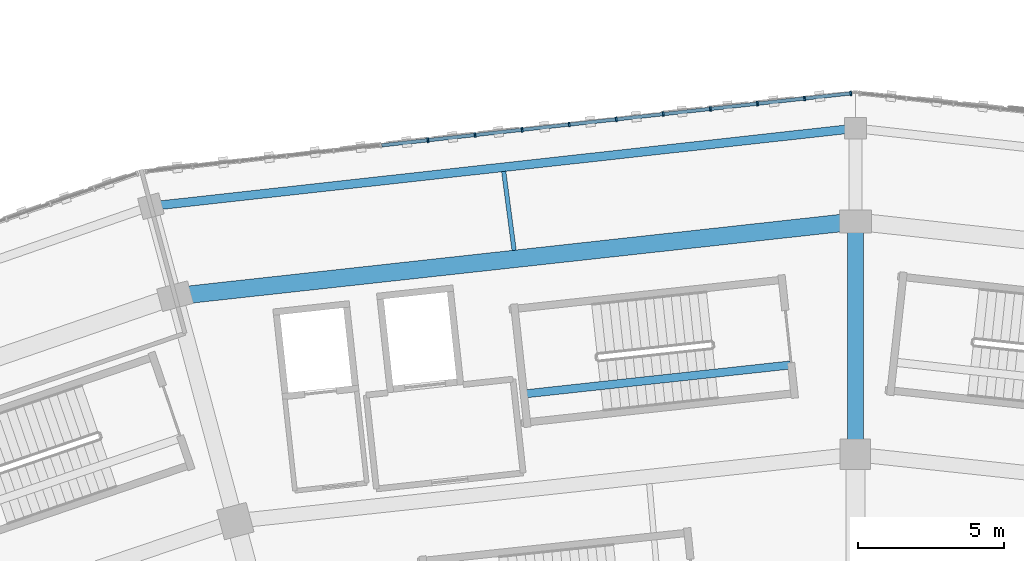
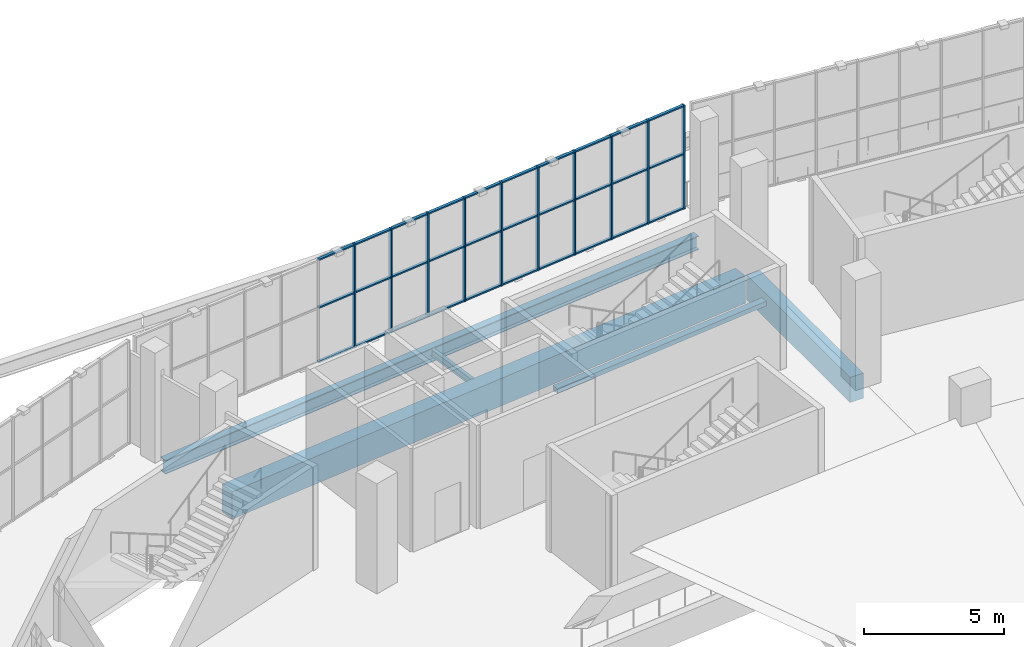
# One storey, part 58 of 183: 40 members, 5 beams, 1 element without a shape of its own.
"""IFC4 building model written with IfcOpenShell, lengths in metres."""

from ifc_helpers import new_model, si_unit, direction, frame, origin, origin_2d, place, context, subcontext, project, spatial, rectangle, i_section, extrude, material, material_profile, profile_set, type_object, element, aggregate, save


model = new_model("IFC4")

# Units and contexts
model_context = context("Model", 3, precision=1e-05, world=origin(), true_north=direction((0.0, 1.0)))
body_context = subcontext(model_context, "Body", "Model", "MODEL_VIEW")
ifc_project = project(units=[si_unit("LENGTHUNIT", "METRE"), si_unit("AREAUNIT", "SQUARE_METRE"), si_unit("VOLUMEUNIT", "CUBIC_METRE"), si_unit("PLANEANGLEUNIT", "RADIAN"), si_unit("MASSUNIT", "GRAM", prefix="KILO")], contexts=[model_context])

# Site, building, storey
site_placement = place(None, origin())
site = spatial("IfcSite", under=ifc_project, at=site_placement, CompositionType="ELEMENT")
building_placement = place(site_placement, origin())
building = spatial("IfcBuilding", under=site, at=building_placement, Name="Zevraka Park Crest Stadium", CompositionType="ELEMENT")
storey_placement = place(building_placement, frame((0.0, 0.0, 5.39990234375)))
storey = spatial("IfcBuildingStorey", under=building, at=storey_placement, Name="L01", CompositionType="ELEMENT", Elevation=5.39990234375)

# Beam
ifc_material_1 = material(Name="Concrete C40/50", Category="concrete")
ifc_material_profile_1 = material_profile(ifc_material_1, rectangle(XDim=0.550048828125, YDim=1.10009765625, at=origin_2d()), Name="RC 1100x550")
ifc_profile_set_1 = profile_set([ifc_material_profile_1], Name="Concrete C40/50")
beam_type_1 = type_object("IfcBeamType", Name="BG02", PredefinedType="BEAM", material=ifc_profile_set_1)
beam_1_placement = place(storey_placement, frame((112.0, 159.60009765625, -0.559814453125), z_axis=(0.0, 1.0, 0.0), x_axis=(-1.0, 0.0, 0.0)))
element("IfcBeam", 1, at=beam_1_placement, inside=storey, type_object=beam_type_1, Name="Radial Girder BG02 L01-CD-06", PredefinedType="BEAM", context=body_context, shape_type="SweptSolid", body=[
    extrude(rectangle(XDim=0.550048828125, YDim=1.10009765625, at=origin_2d()), origin(), (0.0, 0.0, 1.0), 7.39990234375),
])

# Curtain wall, members
ifc_material_2 = material(Name="Anodised architectural aluminium and laminated safety glass", Category="aluminium")
curtain_wall_type = type_object("IfcCurtainWallType", Name="CW01", PredefinedType="NOTDEFINED", material=ifc_material_2)
curtain_wall_placement = place(storey_placement, origin())
curtain_wall = element("IfcCurtainWall", 2, at=curtain_wall_placement, inside=storey, type_object=curtain_wall_type, Name="Unitised Ring Curtain Wall CW01 L01-06", PredefinedType="NOTDEFINED")
ifc_material_3 = material(Name="Anodised architectural aluminium", Category="aluminium")
ifc_material_profile_2 = material_profile(ifc_material_3, rectangle(XDim=0.159912109375, YDim=0.06005859375, at=origin_2d()), Name="ALU MULLION 160x60")
ifc_profile_set_2 = profile_set([ifc_material_profile_2], Name="Anodised architectural aluminium")
member_type_1 = type_object("IfcMemberType", Name="CM01", PredefinedType="MULLION", material=ifc_profile_set_2)
member_1_placement = place(storey_placement, frame((111.840087890625, 171.70166015625, 0.0), z_axis=(0.0, 0.0, 1.0), x_axis=(0.110134718639, -0.993916668414, 0.0)))
member_1 = element("IfcMember", 3, at=member_1_placement, type_object=member_type_1, Name="CW01 mullion 1", PredefinedType="MULLION", context=body_context, shape_type="SweptSolid", body=[
    extrude(rectangle(XDim=0.159912109375, YDim=0.06005859375, at=origin_2d()), origin(), (0.0, 0.0, 1.0), 4.52001953125),
])
member_2_placement = place(storey_placement, frame((110.252685546875, 171.52587890625, 0.0), z_axis=(0.0, 0.0, 1.0), x_axis=(0.110134718639, -0.993916668414, 0.0)))
member_2 = element("IfcMember", 4, at=member_2_placement, type_object=member_type_1, Name="CW01 mullion 2", PredefinedType="MULLION", context=body_context, shape_type="SweptSolid", body=[
    extrude(rectangle(XDim=0.159912109375, YDim=0.06005859375, at=origin_2d()), origin(), (0.0, 0.0, 1.0), 4.52001953125),
])
member_3_placement = place(storey_placement, frame((108.635498046875, 171.3466796875, 0.0), z_axis=(0.0, 0.0, 1.0), x_axis=(0.110134718639, -0.993916668414, 0.0)))
member_3 = element("IfcMember", 5, at=member_3_placement, type_object=member_type_1, Name="CW01 mullion 3", PredefinedType="MULLION", context=body_context, shape_type="SweptSolid", body=[
    extrude(rectangle(XDim=0.159912109375, YDim=0.06005859375, at=origin_2d()), origin(), (0.0, 0.0, 1.0), 4.52001953125),
])
member_4_placement = place(storey_placement, frame((107.018310546875, 171.16748046875, 0.0), z_axis=(0.0, 0.0, 1.0), x_axis=(0.110134718639, -0.993916668414, 0.0)))
member_4 = element("IfcMember", 6, at=member_4_placement, type_object=member_type_1, Name="CW01 mullion 4", PredefinedType="MULLION", context=body_context, shape_type="SweptSolid", body=[
    extrude(rectangle(XDim=0.159912109375, YDim=0.06005859375, at=origin_2d()), origin(), (0.0, 0.0, 1.0), 4.52001953125),
])
member_5_placement = place(storey_placement, frame((105.401123046875, 170.98828125, 0.0), z_axis=(0.0, 0.0, 1.0), x_axis=(0.110134718639, -0.993916668414, 0.0)))
member_5 = element("IfcMember", 7, at=member_5_placement, type_object=member_type_1, Name="CW01 mullion 5", PredefinedType="MULLION", context=body_context, shape_type="SweptSolid", body=[
    extrude(rectangle(XDim=0.159912109375, YDim=0.06005859375, at=origin_2d()), origin(), (0.0, 0.0, 1.0), 4.52001953125),
])
member_6_placement = place(storey_placement, frame((103.783935546875, 170.80908203125, 0.0), z_axis=(0.0, 0.0, 1.0), x_axis=(0.110134718639, -0.993916668414, 0.0)))
member_6 = element("IfcMember", 8, at=member_6_placement, type_object=member_type_1, Name="CW01 mullion 6", PredefinedType="MULLION", context=body_context, shape_type="SweptSolid", body=[
    extrude(rectangle(XDim=0.159912109375, YDim=0.06005859375, at=origin_2d()), origin(), (0.0, 0.0, 1.0), 4.52001953125),
])
member_7_placement = place(storey_placement, frame((102.166748046875, 170.6298828125, 0.0), z_axis=(0.0, 0.0, 1.0), x_axis=(0.110134718639, -0.993916668414, 0.0)))
member_7 = element("IfcMember", 9, at=member_7_placement, type_object=member_type_1, Name="CW01 mullion 7", PredefinedType="MULLION", context=body_context, shape_type="SweptSolid", body=[
    extrude(rectangle(XDim=0.159912109375, YDim=0.06005859375, at=origin_2d()), origin(), (0.0, 0.0, 1.0), 4.52001953125),
])
member_8_placement = place(storey_placement, frame((100.549560546875, 170.45068359375, 0.0), z_axis=(0.0, 0.0, 1.0), x_axis=(0.110134718639, -0.993916668414, 0.0)))
member_8 = element("IfcMember", 10, at=member_8_placement, type_object=member_type_1, Name="CW01 mullion 8", PredefinedType="MULLION", context=body_context, shape_type="SweptSolid", body=[
    extrude(rectangle(XDim=0.159912109375, YDim=0.06005859375, at=origin_2d()), origin(), (0.0, 0.0, 1.0), 4.52001953125),
])
member_9_placement = place(storey_placement, frame((98.932373046875, 170.271484375, 0.0), z_axis=(0.0, 0.0, 1.0), x_axis=(0.110134718639, -0.993916668414, 0.0)))
member_9 = element("IfcMember", 11, at=member_9_placement, type_object=member_type_1, Name="CW01 mullion 9", PredefinedType="MULLION", context=body_context, shape_type="SweptSolid", body=[
    extrude(rectangle(XDim=0.159912109375, YDim=0.06005859375, at=origin_2d()), origin(), (0.0, 0.0, 1.0), 4.52001953125),
])
member_10_placement = place(storey_placement, frame((97.315185546875, 170.09228515625, 0.0), z_axis=(0.0, 0.0, 1.0), x_axis=(0.110134718639, -0.993916668414, 0.0)))
member_10 = element("IfcMember", 12, at=member_10_placement, type_object=member_type_1, Name="CW01 mullion 10", PredefinedType="MULLION", context=body_context, shape_type="SweptSolid", body=[
    extrude(rectangle(XDim=0.159912109375, YDim=0.06005859375, at=origin_2d()), origin(), (0.0, 0.0, 1.0), 4.52001953125),
])
ifc_material_4 = material(Name="Anodised architectural aluminium", Category="aluminium")
ifc_material_profile_3 = material_profile(ifc_material_4, rectangle(XDim=0.1201171875, YDim=0.06005859375, at=origin_2d()), Name="ALU TRANSOM 120x60")
ifc_profile_set_3 = profile_set([ifc_material_profile_3], Name="Anodised architectural aluminium")
member_type_2 = type_object("IfcMemberType", Name="CT01", PredefinedType="USERDEFINED", material=ifc_profile_set_3)
member_11_placement = place(storey_placement, frame((111.810302734375, 171.698486328125, 0.030029296875), z_axis=(-0.993905024901, -0.11023974545, 0.0), x_axis=(0.11023974545, -0.993905024901, 0.0)))
member_11 = element("IfcMember", 13, at=member_11_placement, type_object=member_type_2, Name="CW01 transom 1.1", ObjectType="TRANSOM", PredefinedType="USERDEFINED", context=body_context, shape_type="SweptSolid", body=[
    extrude(rectangle(XDim=0.1201171875, YDim=0.06005859375, at=origin_2d()), origin(), (0.0, 0.0, 1.0), 1.536865234375),
])
member_12_placement = place(storey_placement, frame((111.810302734375, 171.698486328125, 2.400146484375), z_axis=(-0.993905024901, -0.11023974545, 0.0), x_axis=(0.11023974545, -0.993905024901, 0.0)))
member_12 = element("IfcMember", 14, at=member_12_placement, type_object=member_type_2, Name="CW01 transom 1.2", ObjectType="TRANSOM", PredefinedType="USERDEFINED", context=body_context, shape_type="SweptSolid", body=[
    extrude(rectangle(XDim=0.1201171875, YDim=0.06005859375, at=origin_2d()), origin(), (0.0, 0.0, 1.0), 1.536865234375),
])
member_13_placement = place(storey_placement, frame((111.810302734375, 171.698486328125, 4.489990234375), z_axis=(-0.993905024901, -0.11023974545, 0.0), x_axis=(0.11023974545, -0.993905024901, 0.0)))
member_13 = element("IfcMember", 15, at=member_13_placement, type_object=member_type_2, Name="CW01 transom 1.3", ObjectType="TRANSOM", PredefinedType="USERDEFINED", context=body_context, shape_type="SweptSolid", body=[
    extrude(rectangle(XDim=0.1201171875, YDim=0.06005859375, at=origin_2d()), origin(), (0.0, 0.0, 1.0), 1.536865234375),
])
member_14_placement = place(storey_placement, frame((110.222900390625, 171.5224609375, 0.030029296875), z_axis=(-0.993914099026, -0.110157903748, 0.0), x_axis=(0.110157903748, -0.993914099026, 0.0)))
member_14 = element("IfcMember", 16, at=member_14_placement, type_object=member_type_2, Name="CW01 transom 2.1", ObjectType="TRANSOM", PredefinedType="USERDEFINED", context=body_context, shape_type="SweptSolid", body=[
    extrude(rectangle(XDim=0.1201171875, YDim=0.06005859375, at=origin_2d()), origin(), (0.0, 0.0, 1.0), 1.56689453125),
])
member_15_placement = place(storey_placement, frame((110.222900390625, 171.5224609375, 2.400146484375), z_axis=(-0.993914099026, -0.110157903748, 0.0), x_axis=(0.110157903748, -0.993914099026, 0.0)))
member_15 = element("IfcMember", 17, at=member_15_placement, type_object=member_type_2, Name="CW01 transom 2.2", ObjectType="TRANSOM", PredefinedType="USERDEFINED", context=body_context, shape_type="SweptSolid", body=[
    extrude(rectangle(XDim=0.1201171875, YDim=0.06005859375, at=origin_2d()), origin(), (0.0, 0.0, 1.0), 1.56689453125),
])
member_16_placement = place(storey_placement, frame((110.222900390625, 171.5224609375, 4.489990234375), z_axis=(-0.993914099026, -0.110157903748, 0.0), x_axis=(0.110157903748, -0.993914099026, 0.0)))
member_16 = element("IfcMember", 18, at=member_16_placement, type_object=member_type_2, Name="CW01 transom 2.3", ObjectType="TRANSOM", PredefinedType="USERDEFINED", context=body_context, shape_type="SweptSolid", body=[
    extrude(rectangle(XDim=0.1201171875, YDim=0.06005859375, at=origin_2d()), origin(), (0.0, 0.0, 1.0), 1.56689453125),
])
member_17_placement = place(storey_placement, frame((108.605712890625, 171.34326171875, 0.030029296875), z_axis=(-0.993915989308, -0.110140847091, 0.0), x_axis=(0.110140847091, -0.993915989308, 0.0)))
member_17 = element("IfcMember", 19, at=member_17_placement, type_object=member_type_2, Name="CW01 transom 3.1", ObjectType="TRANSOM", PredefinedType="USERDEFINED", context=body_context, shape_type="SweptSolid", body=[
    extrude(rectangle(XDim=0.1201171875, YDim=0.06005859375, at=origin_2d()), origin(), (0.0, 0.0, 1.0), 1.567138671875),
])
member_18_placement = place(storey_placement, frame((108.605712890625, 171.34326171875, 2.400146484375), z_axis=(-0.993915989308, -0.110140847091, 0.0), x_axis=(0.110140847091, -0.993915989308, 0.0)))
member_18 = element("IfcMember", 20, at=member_18_placement, type_object=member_type_2, Name="CW01 transom 3.2", ObjectType="TRANSOM", PredefinedType="USERDEFINED", context=body_context, shape_type="SweptSolid", body=[
    extrude(rectangle(XDim=0.1201171875, YDim=0.06005859375, at=origin_2d()), origin(), (0.0, 0.0, 1.0), 1.567138671875),
])
member_19_placement = place(storey_placement, frame((108.605712890625, 171.34326171875, 4.489990234375), z_axis=(-0.993915989308, -0.110140847091, 0.0), x_axis=(0.110140847091, -0.993915989308, 0.0)))
member_19 = element("IfcMember", 21, at=member_19_placement, type_object=member_type_2, Name="CW01 transom 3.3", ObjectType="TRANSOM", PredefinedType="USERDEFINED", context=body_context, shape_type="SweptSolid", body=[
    extrude(rectangle(XDim=0.1201171875, YDim=0.06005859375, at=origin_2d()), origin(), (0.0, 0.0, 1.0), 1.567138671875),
])
member_20_placement = place(storey_placement, frame((106.988525390625, 171.1640625, 0.030029296875), z_axis=(-0.993915989308, -0.110140847091, 0.0), x_axis=(0.110140847091, -0.993915989308, 0.0)))
member_20 = element("IfcMember", 22, at=member_20_placement, type_object=member_type_2, Name="CW01 transom 4.1", ObjectType="TRANSOM", PredefinedType="USERDEFINED", context=body_context, shape_type="SweptSolid", body=[
    extrude(rectangle(XDim=0.1201171875, YDim=0.06005859375, at=origin_2d()), origin(), (0.0, 0.0, 1.0), 1.567138671875),
])
member_21_placement = place(storey_placement, frame((106.988525390625, 171.1640625, 2.400146484375), z_axis=(-0.993915989308, -0.110140847091, 0.0), x_axis=(0.110140847091, -0.993915989308, 0.0)))
member_21 = element("IfcMember", 23, at=member_21_placement, type_object=member_type_2, Name="CW01 transom 4.2", ObjectType="TRANSOM", PredefinedType="USERDEFINED", context=body_context, shape_type="SweptSolid", body=[
    extrude(rectangle(XDim=0.1201171875, YDim=0.06005859375, at=origin_2d()), origin(), (0.0, 0.0, 1.0), 1.567138671875),
])
member_22_placement = place(storey_placement, frame((106.988525390625, 171.1640625, 4.489990234375), z_axis=(-0.993915989308, -0.110140847091, 0.0), x_axis=(0.110140847091, -0.993915989308, 0.0)))
member_22 = element("IfcMember", 24, at=member_22_placement, type_object=member_type_2, Name="CW01 transom 4.3", ObjectType="TRANSOM", PredefinedType="USERDEFINED", context=body_context, shape_type="SweptSolid", body=[
    extrude(rectangle(XDim=0.1201171875, YDim=0.06005859375, at=origin_2d()), origin(), (0.0, 0.0, 1.0), 1.567138671875),
])
member_23_placement = place(storey_placement, frame((105.371337890625, 170.98486328125, 0.030029296875), z_axis=(-0.993915989308, -0.110140847091, 0.0), x_axis=(0.110140847091, -0.993915989308, 0.0)))
member_23 = element("IfcMember", 25, at=member_23_placement, type_object=member_type_2, Name="CW01 transom 5.1", ObjectType="TRANSOM", PredefinedType="USERDEFINED", context=body_context, shape_type="SweptSolid", body=[
    extrude(rectangle(XDim=0.1201171875, YDim=0.06005859375, at=origin_2d()), origin(), (0.0, 0.0, 1.0), 1.567138671875),
])
member_24_placement = place(storey_placement, frame((105.371337890625, 170.98486328125, 2.400146484375), z_axis=(-0.993915989308, -0.110140847091, 0.0), x_axis=(0.110140847091, -0.993915989308, 0.0)))
member_24 = element("IfcMember", 26, at=member_24_placement, type_object=member_type_2, Name="CW01 transom 5.2", ObjectType="TRANSOM", PredefinedType="USERDEFINED", context=body_context, shape_type="SweptSolid", body=[
    extrude(rectangle(XDim=0.1201171875, YDim=0.06005859375, at=origin_2d()), origin(), (0.0, 0.0, 1.0), 1.567138671875),
])
member_25_placement = place(storey_placement, frame((105.371337890625, 170.98486328125, 4.489990234375), z_axis=(-0.993915989308, -0.110140847091, 0.0), x_axis=(0.110140847091, -0.993915989308, 0.0)))
member_25 = element("IfcMember", 27, at=member_25_placement, type_object=member_type_2, Name="CW01 transom 5.3", ObjectType="TRANSOM", PredefinedType="USERDEFINED", context=body_context, shape_type="SweptSolid", body=[
    extrude(rectangle(XDim=0.1201171875, YDim=0.06005859375, at=origin_2d()), origin(), (0.0, 0.0, 1.0), 1.567138671875),
])
member_26_placement = place(storey_placement, frame((103.754150390625, 170.8056640625, 0.030029296875), z_axis=(-0.993915989308, -0.110140847091, 0.0), x_axis=(0.110140847091, -0.993915989308, 0.0)))
member_26 = element("IfcMember", 28, at=member_26_placement, type_object=member_type_2, Name="CW01 transom 6.1", ObjectType="TRANSOM", PredefinedType="USERDEFINED", context=body_context, shape_type="SweptSolid", body=[
    extrude(rectangle(XDim=0.1201171875, YDim=0.06005859375, at=origin_2d()), origin(), (0.0, 0.0, 1.0), 1.567138671875),
])
member_27_placement = place(storey_placement, frame((103.754150390625, 170.8056640625, 2.400146484375), z_axis=(-0.993915989308, -0.110140847091, 0.0), x_axis=(0.110140847091, -0.993915989308, 0.0)))
member_27 = element("IfcMember", 29, at=member_27_placement, type_object=member_type_2, Name="CW01 transom 6.2", ObjectType="TRANSOM", PredefinedType="USERDEFINED", context=body_context, shape_type="SweptSolid", body=[
    extrude(rectangle(XDim=0.1201171875, YDim=0.06005859375, at=origin_2d()), origin(), (0.0, 0.0, 1.0), 1.567138671875),
])
member_28_placement = place(storey_placement, frame((103.754150390625, 170.8056640625, 4.489990234375), z_axis=(-0.993915989308, -0.110140847091, 0.0), x_axis=(0.110140847091, -0.993915989308, 0.0)))
member_28 = element("IfcMember", 30, at=member_28_placement, type_object=member_type_2, Name="CW01 transom 6.3", ObjectType="TRANSOM", PredefinedType="USERDEFINED", context=body_context, shape_type="SweptSolid", body=[
    extrude(rectangle(XDim=0.1201171875, YDim=0.06005859375, at=origin_2d()), origin(), (0.0, 0.0, 1.0), 1.567138671875),
])
member_29_placement = place(storey_placement, frame((102.136962890625, 170.62646484375, 0.030029296875), z_axis=(-0.993915989308, -0.110140847091, 0.0), x_axis=(0.110140847091, -0.993915989308, 0.0)))
member_29 = element("IfcMember", 31, at=member_29_placement, type_object=member_type_2, Name="CW01 transom 7.1", ObjectType="TRANSOM", PredefinedType="USERDEFINED", context=body_context, shape_type="SweptSolid", body=[
    extrude(rectangle(XDim=0.1201171875, YDim=0.06005859375, at=origin_2d()), origin(), (0.0, 0.0, 1.0), 1.567138671875),
])
member_30_placement = place(storey_placement, frame((102.136962890625, 170.62646484375, 2.400146484375), z_axis=(-0.993915989308, -0.110140847091, 0.0), x_axis=(0.110140847091, -0.993915989308, 0.0)))
member_30 = element("IfcMember", 32, at=member_30_placement, type_object=member_type_2, Name="CW01 transom 7.2", ObjectType="TRANSOM", PredefinedType="USERDEFINED", context=body_context, shape_type="SweptSolid", body=[
    extrude(rectangle(XDim=0.1201171875, YDim=0.06005859375, at=origin_2d()), origin(), (0.0, 0.0, 1.0), 1.567138671875),
])
member_31_placement = place(storey_placement, frame((102.136962890625, 170.62646484375, 4.489990234375), z_axis=(-0.993915989308, -0.110140847091, 0.0), x_axis=(0.110140847091, -0.993915989308, 0.0)))
member_31 = element("IfcMember", 33, at=member_31_placement, type_object=member_type_2, Name="CW01 transom 7.3", ObjectType="TRANSOM", PredefinedType="USERDEFINED", context=body_context, shape_type="SweptSolid", body=[
    extrude(rectangle(XDim=0.1201171875, YDim=0.06005859375, at=origin_2d()), origin(), (0.0, 0.0, 1.0), 1.567138671875),
])
member_32_placement = place(storey_placement, frame((100.519775390625, 170.447265625, 0.030029296875), z_axis=(-0.993915989308, -0.110140847091, 0.0), x_axis=(0.110140847091, -0.993915989308, 0.0)))
member_32 = element("IfcMember", 34, at=member_32_placement, type_object=member_type_2, Name="CW01 transom 8.1", ObjectType="TRANSOM", PredefinedType="USERDEFINED", context=body_context, shape_type="SweptSolid", body=[
    extrude(rectangle(XDim=0.1201171875, YDim=0.06005859375, at=origin_2d()), origin(), (0.0, 0.0, 1.0), 1.567138671875),
])
member_33_placement = place(storey_placement, frame((100.519775390625, 170.447265625, 2.400146484375), z_axis=(-0.993915989308, -0.110140847091, 0.0), x_axis=(0.110140847091, -0.993915989308, 0.0)))
member_33 = element("IfcMember", 35, at=member_33_placement, type_object=member_type_2, Name="CW01 transom 8.2", ObjectType="TRANSOM", PredefinedType="USERDEFINED", context=body_context, shape_type="SweptSolid", body=[
    extrude(rectangle(XDim=0.1201171875, YDim=0.06005859375, at=origin_2d()), origin(), (0.0, 0.0, 1.0), 1.567138671875),
])
member_34_placement = place(storey_placement, frame((100.519775390625, 170.447265625, 4.489990234375), z_axis=(-0.993915989308, -0.110140847091, 0.0), x_axis=(0.110140847091, -0.993915989308, 0.0)))
member_34 = element("IfcMember", 36, at=member_34_placement, type_object=member_type_2, Name="CW01 transom 8.3", ObjectType="TRANSOM", PredefinedType="USERDEFINED", context=body_context, shape_type="SweptSolid", body=[
    extrude(rectangle(XDim=0.1201171875, YDim=0.06005859375, at=origin_2d()), origin(), (0.0, 0.0, 1.0), 1.567138671875),
])
member_35_placement = place(storey_placement, frame((98.902587890625, 170.26806640625, 0.030029296875), z_axis=(-0.993915989308, -0.110140847091, 0.0), x_axis=(0.110140847091, -0.993915989308, 0.0)))
member_35 = element("IfcMember", 37, at=member_35_placement, type_object=member_type_2, Name="CW01 transom 9.1", ObjectType="TRANSOM", PredefinedType="USERDEFINED", context=body_context, shape_type="SweptSolid", body=[
    extrude(rectangle(XDim=0.1201171875, YDim=0.06005859375, at=origin_2d()), origin(), (0.0, 0.0, 1.0), 1.567138671875),
])
member_36_placement = place(storey_placement, frame((98.902587890625, 170.26806640625, 2.400146484375), z_axis=(-0.993915989308, -0.110140847091, 0.0), x_axis=(0.110140847091, -0.993915989308, 0.0)))
member_36 = element("IfcMember", 38, at=member_36_placement, type_object=member_type_2, Name="CW01 transom 9.2", ObjectType="TRANSOM", PredefinedType="USERDEFINED", context=body_context, shape_type="SweptSolid", body=[
    extrude(rectangle(XDim=0.1201171875, YDim=0.06005859375, at=origin_2d()), origin(), (0.0, 0.0, 1.0), 1.567138671875),
])
member_37_placement = place(storey_placement, frame((98.902587890625, 170.26806640625, 4.489990234375), z_axis=(-0.993915989308, -0.110140847091, 0.0), x_axis=(0.110140847091, -0.993915989308, 0.0)))
member_37 = element("IfcMember", 39, at=member_37_placement, type_object=member_type_2, Name="CW01 transom 9.3", ObjectType="TRANSOM", PredefinedType="USERDEFINED", context=body_context, shape_type="SweptSolid", body=[
    extrude(rectangle(XDim=0.1201171875, YDim=0.06005859375, at=origin_2d()), origin(), (0.0, 0.0, 1.0), 1.567138671875),
])
member_38_placement = place(storey_placement, frame((97.285400390625, 170.0888671875, 0.030029296875), z_axis=(-0.993915989308, -0.110140847091, 0.0), x_axis=(0.110140847091, -0.993915989308, 0.0)))
member_38 = element("IfcMember", 40, at=member_38_placement, type_object=member_type_2, Name="CW01 transom 10.1", ObjectType="TRANSOM", PredefinedType="USERDEFINED", context=body_context, shape_type="SweptSolid", body=[
    extrude(rectangle(XDim=0.1201171875, YDim=0.06005859375, at=origin_2d()), origin(), (0.0, 0.0, 1.0), 1.567138671875),
])
member_39_placement = place(storey_placement, frame((97.285400390625, 170.0888671875, 2.400146484375), z_axis=(-0.993915989308, -0.110140847091, 0.0), x_axis=(0.110140847091, -0.993915989308, 0.0)))
member_39 = element("IfcMember", 41, at=member_39_placement, type_object=member_type_2, Name="CW01 transom 10.2", ObjectType="TRANSOM", PredefinedType="USERDEFINED", context=body_context, shape_type="SweptSolid", body=[
    extrude(rectangle(XDim=0.1201171875, YDim=0.06005859375, at=origin_2d()), origin(), (0.0, 0.0, 1.0), 1.567138671875),
])
member_40_placement = place(storey_placement, frame((97.285400390625, 170.0888671875, 4.489990234375), z_axis=(-0.993915989308, -0.110140847091, 0.0), x_axis=(0.110140847091, -0.993915989308, 0.0)))
member_40 = element("IfcMember", 42, at=member_40_placement, type_object=member_type_2, Name="CW01 transom 10.3", ObjectType="TRANSOM", PredefinedType="USERDEFINED", context=body_context, shape_type="SweptSolid", body=[
    extrude(rectangle(XDim=0.1201171875, YDim=0.06005859375, at=origin_2d()), origin(), (0.0, 0.0, 1.0), 1.567138671875),
])
aggregate(curtain_wall, [member_1, member_2, member_3, member_4, member_5, member_6, member_7, member_8, member_9, member_10, member_11, member_12, member_13, member_14, member_15, member_16, member_17, member_18, member_19, member_20, member_21, member_22, member_23, member_24, member_25, member_26, member_27, member_28, member_29, member_30, member_31, member_32, member_33, member_34, member_35, member_36, member_37, member_38, member_39, member_40])

# Beams
ifc_material_5 = material(Name="Concrete C40/50", Category="concrete")
ifc_material_profile_4 = material_profile(ifc_material_5, rectangle(XDim=0.60009765625, YDim=1.199951171875, at=origin_2d()), Name="RC 1200x600")
ifc_profile_set_4 = profile_set([ifc_material_profile_4], Name="Concrete C40/50")
beam_type_2 = type_object("IfcBeamType", Name="RB01", PredefinedType="BEAM", material=ifc_profile_set_4)
beam_2_placement = place(storey_placement, frame((111.6220703125, 167.259033203125, -0.60986328125), z_axis=(-0.994021150509, -0.109187693174, 0.0), x_axis=(0.109187693174, -0.994021150509, 0.0)))
element("IfcBeam", 43, at=beam_2_placement, inside=storey, type_object=beam_type_2, Name="Ring Beam RB01 L01-D-06", PredefinedType="BEAM", context=body_context, shape_type="SweptSolid", body=[
    extrude(rectangle(XDim=0.60009765625, YDim=1.199951171875, at=origin_2d()), origin(), (0.0, 0.0, 1.0), 22.7509765625),
])
ifc_material_6 = material(Name="Steel S355", Category="steel")
ifc_material_profile_5 = material_profile(ifc_material_6, i_section(OverallWidth=0.300048828125, OverallDepth=0.60009765625, WebThickness=0.015380859375, FlangeThickness=0.030029296875, at=origin_2d()), Name="HEB 600")
ifc_profile_set_5 = profile_set([ifc_material_profile_5], Name="Steel S355")
beam_type_3 = type_object("IfcBeamType", Name="RB03", PredefinedType="BEAM", material=ifc_profile_set_5)
beam_3_placement = place(storey_placement, frame((111.652099609375, 170.4619140625, -0.60498046875), z_axis=(-0.993942516724, -0.109901198576, 0.0), x_axis=(0.109901198576, -0.993942516724, 0.0)))
element("IfcBeam", 44, at=beam_3_placement, inside=storey, type_object=beam_type_3, Name="Ring Beam RB03 L01-E-06", PredefinedType="BEAM", context=body_context, shape_type="SweptSolid", body=[
    extrude(i_section(OverallWidth=0.300048828125, OverallDepth=0.60009765625, WebThickness=0.015380859375, FlangeThickness=0.030029296875, at=origin_2d()), origin(), (0.0, 0.0, 1.0), 23.6474609375),
])
ifc_material_7 = material(Name="Steel S355", Category="steel")
ifc_material_profile_6 = material_profile(ifc_material_7, i_section(OverallWidth=0.14990234375, OverallDepth=0.300048828125, WebThickness=0.007080078125, FlangeThickness=0.0107421875, at=origin_2d()), Name="IPE 300")
ifc_profile_set_6 = profile_set([ifc_material_profile_6], Name="Steel S355")
beam_type_4 = type_object("IfcBeamType", Name="SJ01", PredefinedType="JOIST", material=ifc_profile_set_6)
beam_4_placement = place(storey_placement, frame((100.27587890625, 166.30908203125, -0.4580078125), z_axis=(-0.13058389889, 0.991437262438, 0.0), x_axis=(-0.991437262438, -0.13058389889, 0.0)))
element("IfcBeam", 45, at=beam_4_placement, inside=storey, type_object=beam_type_4, Name="Floor Joist SJ01 L01-DE-06-1", PredefinedType="JOIST", context=body_context, shape_type="SweptSolid", body=[
    extrude(i_section(OverallWidth=0.14990234375, OverallDepth=0.300048828125, WebThickness=0.007080078125, FlangeThickness=0.0107421875, at=origin_2d()), origin(), (0.0, 0.0, 1.0), 2.7333984375),
])
ifc_material_8 = material(Name="Concrete C40/50", Category="concrete")
ifc_material_profile_7 = material_profile(ifc_material_8, rectangle(XDim=0.280029296875, YDim=0.199951171875, at=origin_2d()), Name="RC 200x280")
ifc_profile_set_7 = profile_set([ifc_material_profile_7], Name="Concrete C40/50")
beam_type_5 = type_object("IfcBeamType", Name="SJ13", PredefinedType="JOIST", material=ifc_profile_set_7)
beam_5_placement = place(storey_placement, frame((109.77197265625, 162.37158203125, 2.300048828125), z_axis=(-0.994127809114, -0.108212287404, 0.0), x_axis=(0.108212287404, -0.994127809114, 0.0)))
element("IfcBeam", 46, at=beam_5_placement, inside=storey, type_object=beam_type_5, Name="Stair Upper-Flight Longitudinal Stringer SJ13 ST07-L01", PredefinedType="JOIST", context=body_context, shape_type="SweptSolid", body=[
    extrude(rectangle(XDim=0.280029296875, YDim=0.199951171875, at=origin_2d()), origin(), (0.0, 0.0, 1.0), 9.25),
])

save(model, "model.ifc")
